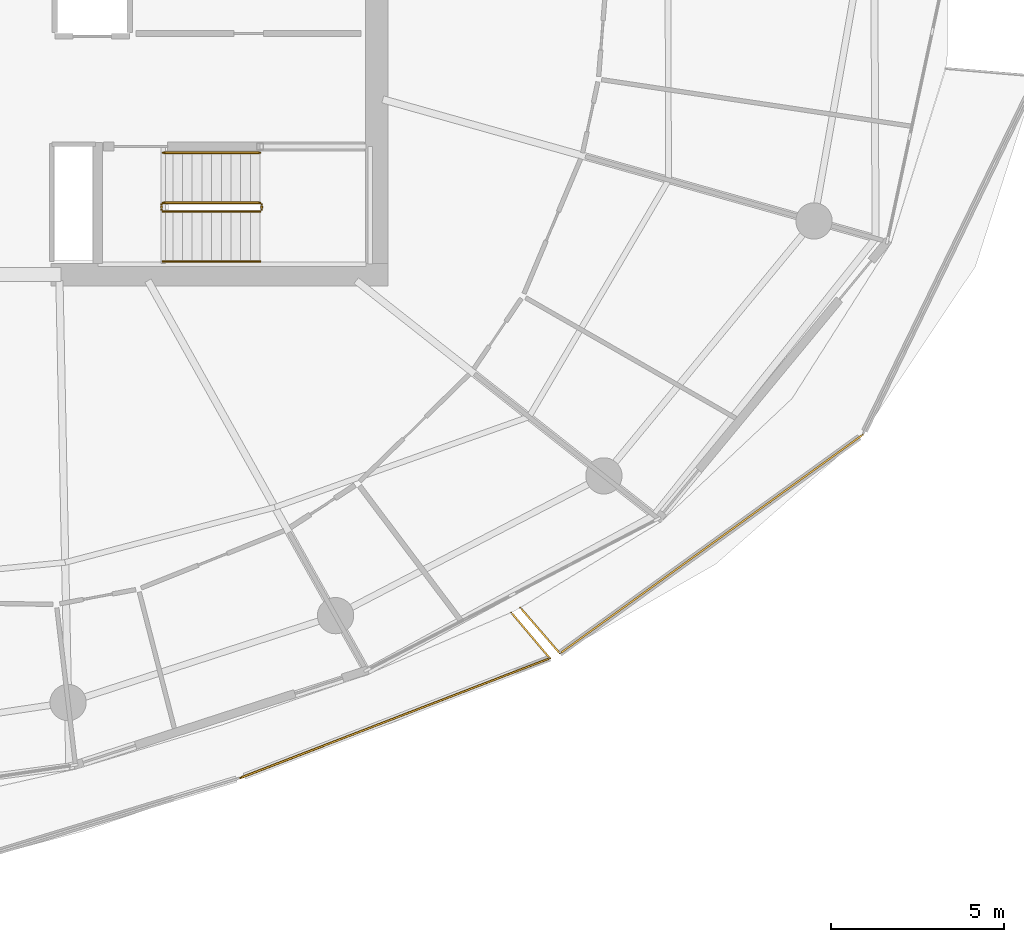
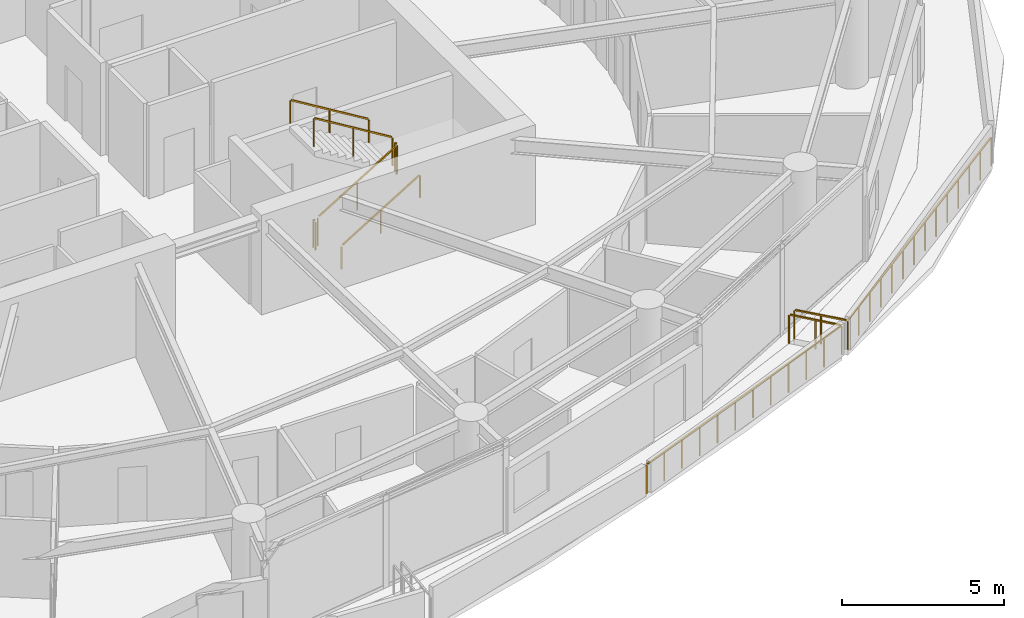
# One storey, part 19 of 21: 10 railings.
"""IFC4 building model written with IfcOpenShell, lengths in metres."""

from ifc_helpers import new_model, si_unit, direction, frame, origin, origin_2d, place, context, subcontext, project, spatial, rectangle, extrude, material, type_object, element, save


model = new_model("IFC4")

# Units and contexts
model_context = context("Model", 3, precision=1e-05, world=origin(), true_north=direction((0.0, 1.0)))
body_context = subcontext(model_context, "Body", "Model", "MODEL_VIEW")
ifc_project = project(units=[si_unit("LENGTHUNIT", "METRE"), si_unit("AREAUNIT", "SQUARE_METRE"), si_unit("VOLUMEUNIT", "CUBIC_METRE"), si_unit("PLANEANGLEUNIT", "RADIAN"), si_unit("MASSUNIT", "GRAM", prefix="KILO")], contexts=[model_context])

# Site, building, storey
site_placement = place(None, origin())
site = spatial("IfcSite", under=ifc_project, at=site_placement, CompositionType="ELEMENT")
building_placement = place(site_placement, origin())
building = spatial("IfcBuilding", under=site, at=building_placement, Name="Kazma Halo Residences", CompositionType="ELEMENT")
storey_placement = place(building_placement, frame((0.0, 0.0, 180.300048828125)))
storey = spatial("IfcBuildingStorey", under=building, at=storey_placement, Name="L45", CompositionType="ELEMENT", Elevation=180.300048828125)

# Railings
ifc_material_1 = material(Name="Aluminium AW-6063 T6 Brushed Cap Rail", Category="aluminium")
railing_type_1 = type_object("IfcRailingType", Name="RLG-BAL-CAP-1120", PredefinedType="BALUSTRADE", material=ifc_material_1)
railing_1_placement = place(storey_placement, frame((55.43310546875, 19.123046875, 0.0)))
element("IfcRailing", 1, at=railing_1_placement, inside=storey, type_object=railing_type_1, Name="L45 SSE wave balcony guard 3", PredefinedType="BALUSTRADE", context=body_context, shape_type="SweptSolid", body=[
    extrude(rectangle(XDim=0.050048828125, YDim=0.050048828125, at=origin_2d()), frame((0.039794921875, 0.015380859375, 1.09521484375), z_axis=(0.932736868059, 0.360557810849, 0.0), x_axis=(-0.360557810849, 0.932736868059, 0.0)), (0.0, 0.0, 1.0), 9.507568359375),
    extrude(rectangle(XDim=0.0400390625, YDim=0.0400390625, at=origin_2d()), origin(), (0.0, 0.0, 1.0), 1.05810546875),
    extrude(rectangle(XDim=0.0400390625, YDim=0.0400390625, at=origin_2d()), frame((0.8134765625, 0.314453125, 0.0)), (0.0, 0.0, 1.0), 1.05810546875),
    extrude(rectangle(XDim=0.0400390625, YDim=0.0400390625, at=origin_2d()), frame((1.626708984375, 0.62890625, 0.0)), (0.0, 0.0, 1.0), 1.05810546875),
    extrude(rectangle(XDim=0.0400390625, YDim=0.0400390625, at=origin_2d()), frame((2.440185546875, 0.943359375, 0.0)), (0.0, 0.0, 1.0), 1.05810546875),
    extrude(rectangle(XDim=0.0400390625, YDim=0.0400390625, at=origin_2d()), frame((3.253662109375, 1.2578125, 0.0)), (0.0, 0.0, 1.0), 1.05810546875),
    extrude(rectangle(XDim=0.0400390625, YDim=0.0400390625, at=origin_2d()), frame((4.067138671875, 1.572265625, 0.0)), (0.0, 0.0, 1.0), 1.05810546875),
    extrude(rectangle(XDim=0.0400390625, YDim=0.0400390625, at=origin_2d()), frame((4.88037109375, 1.886474609375, 0.0)), (0.0, 0.0, 1.0), 1.05810546875),
    extrude(rectangle(XDim=0.0400390625, YDim=0.0400390625, at=origin_2d()), frame((5.69384765625, 2.200927734375, 0.0)), (0.0, 0.0, 1.0), 1.05810546875),
    extrude(rectangle(XDim=0.0400390625, YDim=0.0400390625, at=origin_2d()), frame((6.50732421875, 2.515380859375, 0.0)), (0.0, 0.0, 1.0), 1.05810546875),
    extrude(rectangle(XDim=0.0400390625, YDim=0.0400390625, at=origin_2d()), frame((7.32080078125, 2.829833984375, 0.0)), (0.0, 0.0, 1.0), 1.05810546875),
    extrude(rectangle(XDim=0.0400390625, YDim=0.0400390625, at=origin_2d()), frame((8.134033203125, 3.144287109375, 0.0)), (0.0, 0.0, 1.0), 1.05810546875),
    extrude(rectangle(XDim=0.0400390625, YDim=0.0400390625, at=origin_2d()), frame((8.947509765625, 3.458740234375, 0.0)), (0.0, 0.0, 1.0), 1.05810546875),
])
railing_2_placement = place(storey_placement, frame((64.380615234375, 22.581787109375, 0.0)))
element("IfcRailing", 2, at=railing_2_placement, inside=storey, type_object=railing_type_1, Name="L45 SSE wave balcony guard 4", PredefinedType="BALUSTRADE", context=body_context, shape_type="SweptSolid", body=[
    extrude(rectangle(XDim=0.050048828125, YDim=0.050048828125, at=origin_2d()), frame((-0.02734375, 0.032470703125, 1.09521484375), z_axis=(-0.644752463014, 0.76439143208, 0.0), x_axis=(-0.76439143208, -0.644752463014, 0.0)), (0.0, 0.0, 1.0), 1.645263671875),
    extrude(rectangle(XDim=0.0400390625, YDim=0.0400390625, at=origin_2d()), origin(), (0.0, 0.0, 1.0), 1.05810546875),
    extrude(rectangle(XDim=0.0400390625, YDim=0.0400390625, at=origin_2d()), frame((-0.557861328125, 0.661376953125, 0.0)), (0.0, 0.0, 1.0), 1.05810546875),
    extrude(rectangle(XDim=0.0400390625, YDim=0.0400390625, at=origin_2d()), frame((-1.11572265625, 1.32275390625, 0.0)), (0.0, 0.0, 1.0), 1.05810546875),
])
railing_3_placement = place(storey_placement, frame((63.528564453125, 24.041748046875, 0.0)))
element("IfcRailing", 3, at=railing_3_placement, inside=storey, type_object=railing_type_1, Name="L45 SE wave balcony guard 1", PredefinedType="BALUSTRADE", context=body_context, shape_type="SweptSolid", body=[
    extrude(rectangle(XDim=0.050048828125, YDim=0.050048828125, at=origin_2d()), frame((0.02783203125, -0.0322265625, 1.09521484375), z_axis=(0.654074202521, -0.756430391772, 0.0), x_axis=(0.756430391772, 0.654074202521, 0.0)), (0.0, 0.0, 1.0), 1.663330078125),
    extrude(rectangle(XDim=0.0400390625, YDim=0.0400390625, at=origin_2d()), origin(), (0.0, 0.0, 1.0), 1.05810546875),
    extrude(rectangle(XDim=0.0400390625, YDim=0.0400390625, at=origin_2d()), frame((0.57177734375, -0.6611328125, 0.0)), (0.0, 0.0, 1.0), 1.05810546875),
    extrude(rectangle(XDim=0.0400390625, YDim=0.0400390625, at=origin_2d()), frame((1.1435546875, -1.322509765625, 0.0)), (0.0, 0.0, 1.0), 1.05810546875),
])
railing_4_placement = place(storey_placement, frame((64.672119140625, 22.71923828125, 0.0)))
element("IfcRailing", 4, at=railing_4_placement, inside=storey, type_object=railing_type_1, Name="L45 SE wave balcony guard 2", PredefinedType="BALUSTRADE", context=body_context, shape_type="SweptSolid", body=[
    extrude(rectangle(XDim=0.050048828125, YDim=0.050048828125, at=origin_2d()), frame((0.034423828125, 0.02490234375, 1.09521484375), z_axis=(0.810678632394, 0.585491379082, 0.0), x_axis=(-0.585491379082, 0.810678632394, 0.0)), (0.0, 0.0, 1.0), 10.716552734375),
    extrude(rectangle(XDim=0.0400390625, YDim=0.0400390625, at=origin_2d()), origin(), (0.0, 0.0, 1.0), 1.05810546875),
    extrude(rectangle(XDim=0.0400390625, YDim=0.0400390625, at=origin_2d()), frame((0.673583984375, 0.486572265625, 0.0)), (0.0, 0.0, 1.0), 1.05810546875),
    extrude(rectangle(XDim=0.0400390625, YDim=0.0400390625, at=origin_2d()), frame((1.34716796875, 0.972900390625, 0.0)), (0.0, 0.0, 1.0), 1.05810546875),
    extrude(rectangle(XDim=0.0400390625, YDim=0.0400390625, at=origin_2d()), frame((2.020751953125, 1.45947265625, 0.0)), (0.0, 0.0, 1.0), 1.05810546875),
    extrude(rectangle(XDim=0.0400390625, YDim=0.0400390625, at=origin_2d()), frame((2.6943359375, 1.94580078125, 0.0)), (0.0, 0.0, 1.0), 1.05810546875),
    extrude(rectangle(XDim=0.0400390625, YDim=0.0400390625, at=origin_2d()), frame((3.367919921875, 2.432373046875, 0.0)), (0.0, 0.0, 1.0), 1.05810546875),
    extrude(rectangle(XDim=0.0400390625, YDim=0.0400390625, at=origin_2d()), frame((4.04150390625, 2.9189453125, 0.0)), (0.0, 0.0, 1.0), 1.05810546875),
    extrude(rectangle(XDim=0.0400390625, YDim=0.0400390625, at=origin_2d()), frame((4.715087890625, 3.4052734375, 0.0)), (0.0, 0.0, 1.0), 1.05810546875),
    extrude(rectangle(XDim=0.0400390625, YDim=0.0400390625, at=origin_2d()), frame((5.388671875, 3.891845703125, 0.0)), (0.0, 0.0, 1.0), 1.05810546875),
    extrude(rectangle(XDim=0.0400390625, YDim=0.0400390625, at=origin_2d()), frame((6.062255859375, 4.37841796875, 0.0)), (0.0, 0.0, 1.0), 1.05810546875),
    extrude(rectangle(XDim=0.0400390625, YDim=0.0400390625, at=origin_2d()), frame((6.73583984375, 4.86474609375, 0.0)), (0.0, 0.0, 1.0), 1.05810546875),
    extrude(rectangle(XDim=0.0400390625, YDim=0.0400390625, at=origin_2d()), frame((7.409423828125, 5.351318359375, 0.0)), (0.0, 0.0, 1.0), 1.05810546875),
    extrude(rectangle(XDim=0.0400390625, YDim=0.0400390625, at=origin_2d()), frame((8.0830078125, 5.837646484375, 0.0)), (0.0, 0.0, 1.0), 1.05810546875),
    extrude(rectangle(XDim=0.0400390625, YDim=0.0400390625, at=origin_2d()), frame((8.756591796875, 6.32421875, 0.0)), (0.0, 0.0, 1.0), 1.05810546875),
])
ifc_material_2 = material(Name="Painted Steel S355", Category="steel")
railing_type_2 = type_object("IfcRailingType", Name="RLG-STAIR-GRD-1100", PredefinedType="GUARDRAIL", material=ifc_material_2)
railing_5_placement = place(storey_placement, frame((53.199951171875, 35.5, 0.17041015625)))
element("IfcRailing", 5, at=railing_5_placement, inside=storey, type_object=railing_type_2, Name="L45 ST-03 stair guard 1", PredefinedType="GUARDRAIL", context=body_context, shape_type="SweptSolid", body=[
    extrude(rectangle(XDim=0.050048828125, YDim=0.050048828125, at=origin_2d()), frame((0.036376953125, 0.0, 1.09716796875), z_axis=(0.854169791009, 0.0, 0.51999420009), x_axis=(0.0, 1.0, 0.0)), (0.0, 0.0, 1.0), 3.193115234375),
    extrude(rectangle(XDim=0.0400390625, YDim=0.0400390625, at=origin_2d()), origin(), (0.0, 0.0, 1.0), 1.0380859375),
    extrude(rectangle(XDim=0.0400390625, YDim=0.0400390625, at=origin_2d()), frame((1.39990234375, 0.0, 0.852294921875)), (0.0, 0.0, 1.0), 1.0380859375),
    extrude(rectangle(XDim=0.0400390625, YDim=0.0400390625, at=origin_2d()), frame((2.800048828125, 0.0, 1.70458984375)), (0.0, 0.0, 1.0), 1.0380859375),
])
railing_6_placement = place(storey_placement, frame((56.050048828125, 35.550048828125, 1.875)))
element("IfcRailing", 6, at=railing_6_placement, inside=storey, type_object=railing_type_2, Name="L45 ST-03 stair guard 2", PredefinedType="GUARDRAIL", context=body_context, shape_type="SweptSolid", body=[
    extrude(rectangle(XDim=0.050048828125, YDim=0.050048828125, at=origin_2d()), frame((0.0, 0.04248046875, 1.0751953125), z_axis=(0.0, 1.0, 0.0), x_axis=(-1.0, 0.0, 0.0)), (0.0, 0.0, 1.0), 0.06494140625),
    extrude(rectangle(XDim=0.0400390625, YDim=0.0400390625, at=origin_2d()), origin(), (0.0, 0.0, 1.0), 1.0380859375),
    extrude(rectangle(XDim=0.0400390625, YDim=0.0400390625, at=origin_2d()), frame((0.0, 0.14990234375, 0.0)), (0.0, 0.0, 1.0), 1.0380859375),
])
railing_7_placement = place(storey_placement, frame((56.0, 35.75, 2.04541015625)))
element("IfcRailing", 7, at=railing_7_placement, inside=storey, type_object=railing_type_2, Name="L45 ST-03 stair guard 3", PredefinedType="GUARDRAIL", context=body_context, shape_type="SweptSolid", body=[
    extrude(rectangle(XDim=0.050048828125, YDim=0.050048828125, at=origin_2d()), frame((-0.036376953125, 0.0, 1.09716796875), z_axis=(-0.854169791009, 0.0, 0.51999420009), x_axis=(0.0, -1.0, 0.0)), (0.0, 0.0, 1.0), 3.193115234375),
    extrude(rectangle(XDim=0.0400390625, YDim=0.0400390625, at=origin_2d()), origin(), (0.0, 0.0, 1.0), 1.0380859375),
    extrude(rectangle(XDim=0.0400390625, YDim=0.0400390625, at=origin_2d()), frame((-1.39990234375, 0.0, 0.852294921875)), (0.0, 0.0, 1.0), 1.0380859375),
    extrude(rectangle(XDim=0.0400390625, YDim=0.0400390625, at=origin_2d()), frame((-2.800048828125, 0.0, 1.70458984375)), (0.0, 0.0, 1.0), 1.0380859375),
])
railing_8_placement = place(storey_placement, frame((53.14990234375, 35.550048828125, 0.0)))
element("IfcRailing", 8, at=railing_8_placement, inside=storey, type_object=railing_type_2, Name="L45 ST-03 stair guard 4", PredefinedType="GUARDRAIL", context=body_context, shape_type="SweptSolid", body=[
    extrude(rectangle(XDim=0.050048828125, YDim=0.050048828125, at=origin_2d()), frame((0.0, 0.04248046875, 1.0751953125), z_axis=(0.0, 1.0, 0.0), x_axis=(-1.0, 0.0, 0.0)), (0.0, 0.0, 1.0), 0.06494140625),
    extrude(rectangle(XDim=0.0400390625, YDim=0.0400390625, at=origin_2d()), origin(), (0.0, 0.0, 1.0), 1.0380859375),
    extrude(rectangle(XDim=0.0400390625, YDim=0.0400390625, at=origin_2d()), frame((0.0, 0.14990234375, 0.0)), (0.0, 0.0, 1.0), 1.0380859375),
])
ifc_material_3 = material(Name="Brushed Stainless Steel", Category="steel")
railing_type_3 = type_object("IfcRailingType", Name="RLG-STAIR-HND-900", PredefinedType="HANDRAIL", material=ifc_material_3)
railing_9_placement = place(storey_placement, frame((53.199951171875, 34.050048828125, 0.17041015625)))
element("IfcRailing", 9, at=railing_9_placement, inside=storey, type_object=railing_type_3, Name="L45 ST-03 stair handrail 1", PredefinedType="HANDRAIL", context=body_context, shape_type="SweptSolid", body=[
    extrude(rectangle(XDim=0.050048828125, YDim=0.050048828125, at=origin_2d()), frame((0.036376953125, 0.0, 0.89697265625), z_axis=(0.854169791009, 0.0, 0.51999420009), x_axis=(0.0, 1.0, 0.0)), (0.0, 0.0, 1.0), 3.193115234375),
    extrude(rectangle(XDim=0.0400390625, YDim=0.0400390625, at=origin_2d()), origin(), (0.0, 0.0, 1.0), 0.837890625),
    extrude(rectangle(XDim=0.0400390625, YDim=0.0400390625, at=origin_2d()), frame((1.39990234375, 0.0, 0.852294921875)), (0.0, 0.0, 1.0), 0.837890625),
    extrude(rectangle(XDim=0.0400390625, YDim=0.0400390625, at=origin_2d()), frame((2.800048828125, 0.0, 1.70458984375)), (0.0, 0.0, 1.0), 0.837890625),
])
railing_10_placement = place(storey_placement, frame((56.0, 37.199951171875, 2.04541015625)))
element("IfcRailing", 10, at=railing_10_placement, inside=storey, type_object=railing_type_3, Name="L45 ST-03 stair handrail 2", PredefinedType="HANDRAIL", context=body_context, shape_type="SweptSolid", body=[
    extrude(rectangle(XDim=0.050048828125, YDim=0.050048828125, at=origin_2d()), frame((-0.036376953125, 0.0, 0.89697265625), z_axis=(-0.854169791009, 0.0, 0.51999420009), x_axis=(0.0, -1.0, 0.0)), (0.0, 0.0, 1.0), 3.193115234375),
    extrude(rectangle(XDim=0.0400390625, YDim=0.0400390625, at=origin_2d()), origin(), (0.0, 0.0, 1.0), 0.837890625),
    extrude(rectangle(XDim=0.0400390625, YDim=0.0400390625, at=origin_2d()), frame((-1.39990234375, 0.0, 0.852294921875)), (0.0, 0.0, 1.0), 0.837890625),
    extrude(rectangle(XDim=0.0400390625, YDim=0.0400390625, at=origin_2d()), frame((-2.800048828125, 0.0, 1.70458984375)), (0.0, 0.0, 1.0), 0.837890625),
])

save(model, "model.ifc")
